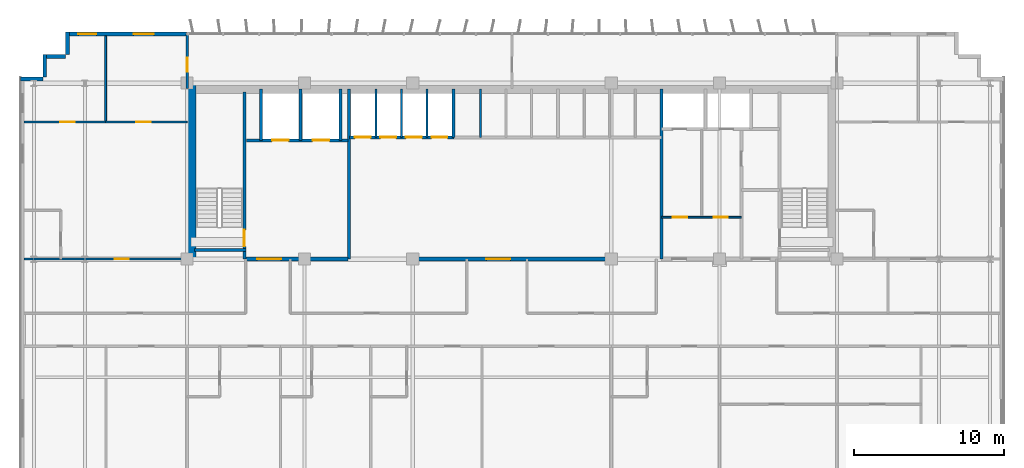
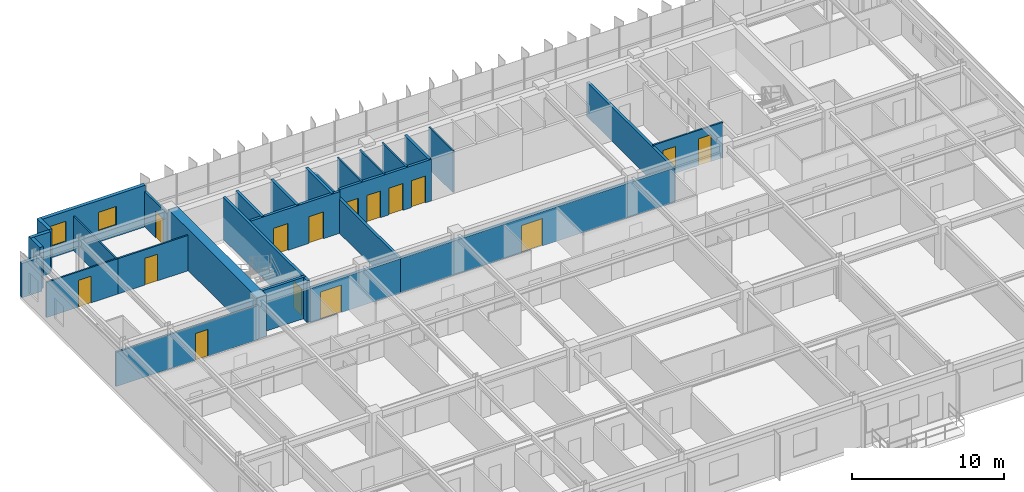
# One storey, part 17 of 22: 28 walls, 15 doors, 2 windows, 17 openings.
"""IFC4 building model written with IfcOpenShell, lengths in metres."""

from ifc_helpers import new_model, si_unit, direction, frame, frame_2d, origin, place, context, subcontext, project, spatial, rectangle, extrude, source, transform, mapped, material, layer, layer_set, type_object, element, fill, save


model = new_model("IFC4")

# Units and contexts
model_context = context("Model", 3, precision=1e-05, world=origin(), true_north=direction((0.0, 1.0)))
body_context = subcontext(model_context, "Body", "Model", "MODEL_VIEW")
ifc_project = project(units=[si_unit("LENGTHUNIT", "METRE"), si_unit("AREAUNIT", "SQUARE_METRE"), si_unit("VOLUMEUNIT", "CUBIC_METRE"), si_unit("PLANEANGLEUNIT", "RADIAN"), si_unit("MASSUNIT", "GRAM", prefix="KILO")], contexts=[model_context])

# Site, building, storey
site_placement = place(None, origin())
site = spatial("IfcSite", under=ifc_project, at=site_placement, CompositionType="ELEMENT")
building_placement = place(site_placement, origin())
building = spatial("IfcBuilding", under=site, at=building_placement, Name="Trelvane Seafront Commons", CompositionType="ELEMENT")
storey_placement = place(building_placement, frame((0.0, 0.0, 114.10009765625)))
storey = spatial("IfcBuildingStorey", under=building, at=storey_placement, Name="L29", CompositionType="ELEMENT", Elevation=114.10009765625)

# Wall, openings, windows
ifc_material_1 = material(Name="Precast concrete C40/50", Category="concrete")
ifc_layer_1 = layer(ifc_material_1, 0.260009765625, Name="ARCH-WALL-EXT260")
ifc_layer_set_1 = layer_set([ifc_layer_1], Name="Precast concrete C40/50")
wall_type_1 = type_object("IfcWallType", Name="ARCH-WALL-EXT260", PredefinedType="SOLIDWALL", material=ifc_layer_set_1)
wall_1_placement = place(storey_placement, frame((7.60009765625, 48.3701171875, 0.0), z_axis=(0.0, 0.0, 1.0), x_axis=(1.0, 0.0, 0.0)))
wall_1 = element("IfcWall", 1, at=wall_1_placement, inside=storey, type_object=wall_type_1, Name="EW-L29-NW-0538", PredefinedType="SOLIDWALL", context=body_context, shape_type="SweptSolid", body=[
    extrude(rectangle(XDim=8.0, YDim=0.260009765625, at=frame_2d((4.0, 0.0))), origin(), (0.0, 0.0, 1.0), 3.33984375),
])
opening_1_placement = place(wall_1_placement, frame((0.76806640625, 0.0, 0.89990234375)))
opening_1 = element("IfcOpeningElement", 2, at=opening_1_placement, cuts=wall_1, Name="Opening W05", PredefinedType="OPENING", context=body_context, shape_type="SweptSolid", body=[
    extrude(rectangle(XDim=1.199951171875, YDim=1.64990234375, at=frame_2d((0.60009765625, 0.824951171875))), frame((0.0, 0.139892578125, 0.0), z_axis=(0.0, -1.0, 0.0), x_axis=(1.0, 0.0, 0.0)), (0.0, 0.0, 1.0), 0.280029296875),
])
opening_2_placement = place(wall_1_placement, frame((4.44091796875, 0.0, 0.89990234375)))
opening_2 = element("IfcOpeningElement", 3, at=opening_2_placement, cuts=wall_1, Name="Opening W09", PredefinedType="OPENING", context=body_context, shape_type="SweptSolid", body=[
    extrude(rectangle(XDim=1.35009765625, YDim=1.5, at=frame_2d((0.675048828125, 0.75))), frame((0.0, 0.139892578125, 0.0), z_axis=(0.0, -1.0, 0.0), x_axis=(1.0, 0.0, 0.0)), (0.0, 0.0, 1.0), 0.280029296875),
])
ifc_material_2 = material(Name="Low-E coastal double glazing", Category="glass")
window_type_1 = type_object("IfcWindowType", Name="ARCH-WIN-W09", PartitioningType="SINGLE_PANEL", PredefinedType="WINDOW", material=ifc_material_2)
shared_shape_1 = source(origin(), body_context, "Body", "SweptSolid", [
    extrude(rectangle(XDim=1.35009765625, YDim=1.5, at=frame_2d((0.675048828125, 0.75))), frame((0.0, 0.030029296875, 0.0), z_axis=(0.0, -1.0, 0.0), x_axis=(1.0, 0.0, 0.0)), (0.0, 0.0, 1.0), 0.06005859375),
])
window_1_placement = place(opening_2_placement, origin())
window_1 = element("IfcWindow", 4, at=window_1_placement, inside=storey, type_object=window_type_1, Name="WIN-L29-00636", OverallHeight=1.5, OverallWidth=1.35009765625, PartitioningType="SINGLE_PANEL", PredefinedType="WINDOW", context=body_context, shape_type="MappedRepresentation", body=[
    mapped(shared_shape_1, transform((0.0, 0.0, 0.0), x_axis=(1.0, 0.0, 0.0), y_axis=(0.0, 1.0, 0.0), z_axis=(0.0, 0.0, 1.0), scale=1.0)),
])
fill(opening_2, window_1)
window_type_2 = type_object("IfcWindowType", Name="ARCH-WIN-W05", PartitioningType="SINGLE_PANEL", PredefinedType="WINDOW", material=ifc_material_2)
shared_shape_2 = source(origin(), body_context, "Body", "SweptSolid", [
    extrude(rectangle(XDim=1.199951171875, YDim=1.64990234375, at=frame_2d((0.60009765625, 0.824951171875))), frame((0.0, 0.030029296875, 0.0), z_axis=(0.0, -1.0, 0.0), x_axis=(1.0, 0.0, 0.0)), (0.0, 0.0, 1.0), 0.06005859375),
])
window_2_placement = place(opening_1_placement, origin())
window_2 = element("IfcWindow", 5, at=window_2_placement, inside=storey, type_object=window_type_2, Name="WIN-L29-00635", OverallHeight=1.64990234375, OverallWidth=1.199951171875, PartitioningType="SINGLE_PANEL", PredefinedType="WINDOW", context=body_context, shape_type="MappedRepresentation", body=[
    mapped(shared_shape_2, transform((0.0, 0.0, 0.0), x_axis=(1.0, 0.0, 0.0), y_axis=(0.0, 1.0, 0.0), z_axis=(0.0, 0.0, 1.0), scale=1.0)),
])
fill(opening_1, window_2)

# Walls
wall_2_placement = place(storey_placement, frame((4.5, 45.3701171875, 0.0), z_axis=(0.0, 0.0, 1.0), x_axis=(1.0, 0.0, 0.0)))
element("IfcWall", 6, at=wall_2_placement, inside=storey, type_object=wall_type_1, Name="EW-L29-00544", PredefinedType="SOLIDWALL", context=body_context, shape_type="SweptSolid", body=[
    extrude(rectangle(XDim=1.5, YDim=0.260009765625, at=frame_2d((0.75, 0.0))), origin(), (0.0, 0.0, 1.0), 2.751953125),
])
for number, where, z_axis, x_axis, name in (
    (7, (6.1298828125, 45.5, 0.0), (0.0, 0.0, 1.0), (0.0, 1.0, 0.0), "EW-L29-00545"),
    (8, (6.0, 46.8701171875, 0.0), (0.0, 0.0, 1.0), (1.0, 0.0, 0.0), "EW-L29-00546"),
    (9, (7.6298828125, 47.0, 0.0), (0.0, 0.0, 1.0), (0.0, 1.0, 0.0), "EW-L29-00547"),
):
    element("IfcWall", number, at=place(storey_placement, frame(where, z_axis=z_axis, x_axis=x_axis)), inside=storey, type_object=wall_type_1, Name=name, PredefinedType="SOLIDWALL", context=body_context, shape_type="SweptSolid", body=[
        extrude(rectangle(XDim=1.5, YDim=0.260009765625, at=frame_2d((0.75, 0.0))), origin(), (0.0, 0.0, 1.0), 3.33984375),
    ])

# Wall, opening, door
ifc_material_3 = material(Name="Concrete C40/50", Category="concrete")
ifc_layer_2 = layer(ifc_material_3, 0.25, Name="ARCH-WALL-FIRE250")
ifc_layer_set_2 = layer_set([ifc_layer_2], Name="Concrete C40/50")
wall_type_2 = type_object("IfcWallType", Name="ARCH-WALL-FIRE250", PredefinedType="PARTITIONING", material=ifc_layer_set_2)
wall_3_placement = place(storey_placement, frame((19.5, 33.39990234375, 0.0), z_axis=(0.0, 0.0, 1.0), x_axis=(1.0, 0.0, 0.0)))
wall_3 = element("IfcWall", 10, at=wall_3_placement, inside=storey, type_object=wall_type_2, Name="W-L29-CS-FFL-013", PredefinedType="PARTITIONING", context=body_context, shape_type="SweptSolid", body=[
    extrude(rectangle(XDim=6.800048828125, YDim=0.25, at=frame_2d((3.39990234375, 0.0))), origin(), (0.0, 0.0, 1.0), 2.751953125),
])
opening_3_placement = place(wall_3_placement, frame((0.75, 0.0, 0.0)))
opening_3 = element("IfcOpeningElement", 11, at=opening_3_placement, cuts=wall_3, Name="Opening FD-L29-05", PredefinedType="OPENING", context=body_context, shape_type="SweptSolid", body=[
    extrude(rectangle(XDim=1.60009765625, YDim=2.199951171875, at=frame_2d((0.800048828125, 1.10009765625))), frame((0.0, 0.135009765625, 0.0), z_axis=(0.0, -1.0, 0.0), x_axis=(1.0, 0.0, 0.0)), (0.0, 0.0, 1.0), 0.27001953125),
])
ifc_material_4 = material(Name="Powder-coated aluminium frame", Category="aluminium")
door_type_1 = type_object("IfcDoorType", Name="ARCH-DR-FD60-1600", OperationType="DOUBLE_DOOR_SINGLE_SWING", PredefinedType="DOOR", material=ifc_material_4)
shared_shape_3 = source(origin(), body_context, "Body", "SweptSolid", [
    extrude(rectangle(XDim=1.60009765625, YDim=2.199951171875, at=frame_2d((0.800048828125, 1.10009765625))), frame((0.0, 0.02490234375, 0.0), z_axis=(0.0, -1.0, 0.0), x_axis=(1.0, 0.0, 0.0)), (0.0, 0.0, 1.0), 0.050048828125),
])
door_1_placement = place(opening_3_placement, origin())
door_1 = element("IfcDoor", 12, at=door_1_placement, inside=storey, type_object=door_type_1, Name="L29 Firefighting Lift Lobby Double Fire Door", OperationType="DOUBLE_DOOR_SINGLE_SWING", OverallHeight=2.199951171875, OverallWidth=1.60009765625, PredefinedType="DOOR", context=body_context, shape_type="MappedRepresentation", body=[
    mapped(shared_shape_3, transform((0.0, 0.0, 0.0), x_axis=(1.0, 0.0, 0.0), y_axis=(0.0, 1.0, 0.0), z_axis=(0.0, 0.0, 1.0), scale=1.0)),
])
fill(opening_3, door_1)

wall_4_placement = place(storey_placement, frame((26.300048828125, 33.39990234375, 0.0), z_axis=(0.0, 0.0, 1.0), x_axis=(1.0, 0.0, 0.0)))
wall_4 = element("IfcWall", 13, at=wall_4_placement, inside=storey, type_object=wall_type_2, Name="W-L29-CS-PAX-029", PredefinedType="PARTITIONING", context=body_context, shape_type="SweptSolid", body=[
    extrude(rectangle(XDim=20.849853515625, YDim=0.25, at=frame_2d((10.4248046875, 0.0))), origin(), (0.0, 0.0, 1.0), 2.751953125),
])
opening_4_placement = place(wall_4_placement, frame((9.199951171875, 0.0, 0.0)))
opening_4 = element("IfcOpeningElement", 14, at=opening_4_placement, cuts=wall_4, Name="Opening FD-L29-10", PredefinedType="OPENING", context=body_context, shape_type="SweptSolid", body=[
    extrude(rectangle(XDim=1.60009765625, YDim=2.199951171875, at=frame_2d((0.800048828125, 1.10009765625))), frame((0.0, 0.135009765625, 0.0), z_axis=(0.0, -1.0, 0.0), x_axis=(1.0, 0.0, 0.0)), (0.0, 0.0, 1.0), 0.27001953125),
])
door_2_placement = place(opening_4_placement, origin())
door_2 = element("IfcDoor", 15, at=door_2_placement, inside=storey, type_object=door_type_1, Name="L29 Passenger Lift Lobby Double Door", OperationType="DOUBLE_DOOR_SINGLE_SWING", OverallHeight=2.199951171875, OverallWidth=1.60009765625, PredefinedType="DOOR", context=body_context, shape_type="MappedRepresentation", body=[
    mapped(shared_shape_3, transform((0.0, 0.0, 0.0), x_axis=(1.0, 0.0, 0.0), y_axis=(0.0, 1.0, 0.0), z_axis=(0.0, 0.0, 1.0), scale=1.0)),
])
fill(opening_4, door_2)

# Walls
ifc_material_5 = material(Name="Gypsum Drywall Acoustic Partition")
ifc_layer_3 = layer(ifc_material_5, 0.1201171875, Name="ARCH-WALL-PART120")
ifc_layer_set_3 = layer_set([ifc_layer_3], Name="Gypsum Drywall Acoustic Partition")
wall_type_3 = type_object("IfcWallType", Name="ARCH-WALL-PART120", PredefinedType="PARTITIONING", material=ifc_layer_set_3)
for number, where, z_axis, x_axis, name in (
    (16, (28.14990234375, 41.5, 0.0), (0.0, 0.0, 1.0), (0.0, 1.0, 0.0), "W-L29-PL-DIV1-016"),
    (17, (29.85009765625, 41.5, 0.0), (0.0, 0.0, 1.0), (0.0, 1.0, 0.0), "W-L29-PL-DIV2-017"),
    (18, (31.550048828125, 41.5, 0.0), (0.0, 0.0, 1.0), (0.0, 1.0, 0.0), "W-L29-PL-DIV3-018"),
    (19, (35.10009765625, 41.5, 0.0), (0.0, 0.0, 1.0), (0.0, 1.0, 0.0), "W-L29-PM-DIV1-020"),
):
    element("IfcWall", number, at=place(storey_placement, frame(where, z_axis=z_axis, x_axis=x_axis)), inside=storey, type_object=wall_type_3, Name=name, PredefinedType="PARTITIONING", context=body_context, shape_type="SweptSolid", body=[
        extrude(rectangle(XDim=3.199951171875, YDim=0.1201171875, at=frame_2d((1.60009765625, 0.0))), origin(), (0.0, 0.0, 1.0), 3.33984375),
    ])

# Wall, openings, doors
wall_5_placement = place(storey_placement, frame((47.14990234375, 36.179931640625, 0.0), z_axis=(0.0, 0.0, 1.0), x_axis=(1.0, 0.0, 0.0)))
wall_5 = element("IfcWall", 20, at=wall_5_placement, inside=storey, type_object=wall_type_3, Name="W-L29-CYC1-H-035", PredefinedType="PARTITIONING", context=body_context, shape_type="SweptSolid", body=[
    extrude(rectangle(XDim=5.300048828125, YDim=0.1201171875, at=frame_2d((2.64990234375, 0.0))), origin(), (0.0, 0.0, 1.0), 2.83984375),
])
opening_5_placement = place(wall_5_placement, frame((0.75, 0.0, 0.0)))
opening_5 = element("IfcOpeningElement", 21, at=opening_5_placement, cuts=wall_5, Name="Opening D-L29-14", PredefinedType="OPENING", context=body_context, shape_type="SweptSolid", body=[
    extrude(rectangle(XDim=0.949951171875, YDim=2.14990234375, at=frame_2d((0.47509765625, 1.074951171875))), frame((0.0, 0.070068359375, 0.0), z_axis=(0.0, -1.0, 0.0), x_axis=(1.0, 0.0, 0.0)), (0.0, 0.0, 1.0), 0.14013671875),
])
opening_6_placement = place(wall_5_placement, frame((3.449951171875, 0.0, 0.0)))
opening_6 = element("IfcOpeningElement", 22, at=opening_6_placement, cuts=wall_5, Name="Opening D-L29-15", PredefinedType="OPENING", context=body_context, shape_type="SweptSolid", body=[
    extrude(rectangle(XDim=0.949951171875, YDim=2.14990234375, at=frame_2d((0.47509765625, 1.074951171875))), frame((0.0, 0.070068359375, 0.0), z_axis=(0.0, -1.0, 0.0), x_axis=(1.0, 0.0, 0.0)), (0.0, 0.0, 1.0), 0.14013671875),
])
ifc_material_6 = material(Name="Acoustic timber door leaf", Category="wood")
door_type_2 = type_object("IfcDoorType", Name="ARCH-DR-INT950", OperationType="NOTDEFINED", PredefinedType="DOOR", material=ifc_material_6)
shared_shape_4 = source(origin(), body_context, "Body", "SweptSolid", [
    extrude(rectangle(XDim=0.949951171875, YDim=2.14990234375, at=frame_2d((0.47509765625, 1.074951171875))), frame((0.0, 0.02490234375, 0.0), z_axis=(0.0, -1.0, 0.0), x_axis=(1.0, 0.0, 0.0)), (0.0, 0.0, 1.0), 0.050048828125),
])
door_3_placement = place(opening_5_placement, origin())
door_3 = element("IfcDoor", 23, at=door_3_placement, inside=storey, type_object=door_type_2, Name="L29 Accessible WC Door", OperationType="SINGLE_SWING_RIGHT", OverallHeight=2.14990234375, OverallWidth=0.949951171875, PredefinedType="DOOR", context=body_context, shape_type="MappedRepresentation", body=[
    mapped(shared_shape_4, transform((0.0, 0.0, 0.0), x_axis=(1.0, 0.0, 0.0), y_axis=(0.0, 1.0, 0.0), z_axis=(0.0, 0.0, 1.0), scale=1.0)),
])
fill(opening_5, door_3)
door_4_placement = place(opening_6_placement, origin())
door_4 = element("IfcDoor", 24, at=door_4_placement, inside=storey, type_object=door_type_2, Name="L29 BMS Room Door", OperationType="SINGLE_SWING_LEFT", OverallHeight=2.14990234375, OverallWidth=0.949951171875, PredefinedType="DOOR", context=body_context, shape_type="MappedRepresentation", body=[
    mapped(shared_shape_4, transform((0.0, 0.0, 0.0), x_axis=(1.0, 0.0, 0.0), y_axis=(0.0, 1.0, 0.0), z_axis=(0.0, 0.0, 1.0), scale=1.0)),
])
fill(opening_6, door_4)

# Wall, opening, door
wall_6_placement = place(storey_placement, frame((4.75, 42.52001953125, 0.0), z_axis=(0.0, 0.0, 1.0), x_axis=(1.0, 0.0, 0.0)))
wall_6 = element("IfcWall", 25, at=wall_6_placement, inside=storey, type_object=wall_type_3, Name="W-L29-NW-KB1-051", PredefinedType="PARTITIONING", context=body_context, shape_type="SweptSolid", body=[
    extrude(rectangle(XDim=5.425048828125, YDim=0.1201171875, at=frame_2d((2.71240234375, 0.0))), origin(), (0.0, 0.0, 1.0), 2.83984375),
])
opening_7_placement = place(wall_6_placement, frame((2.423095703125, 0.0, 0.0)))
opening_7 = element("IfcOpeningElement", 26, at=opening_7_placement, cuts=wall_6, Name="Opening D-L29-24", PredefinedType="OPENING", context=body_context, shape_type="SweptSolid", body=[
    extrude(rectangle(XDim=0.949951171875, YDim=2.14990234375, at=frame_2d((0.47509765625, 1.074951171875))), frame((0.0, 0.070068359375, 0.0), z_axis=(0.0, -1.0, 0.0), x_axis=(1.0, 0.0, 0.0)), (0.0, 0.0, 1.0), 0.14013671875),
])
door_5_placement = place(opening_7_placement, origin())
door_5 = element("IfcDoor", 27, at=door_5_placement, inside=storey, type_object=door_type_2, Name="L29 Door 24", OperationType="SINGLE_SWING_RIGHT", OverallHeight=2.14990234375, OverallWidth=0.949951171875, PredefinedType="DOOR", context=body_context, shape_type="MappedRepresentation", body=[
    mapped(shared_shape_4, transform((0.0, 0.0, 0.0), x_axis=(1.0, 0.0, 0.0), y_axis=(0.0, 1.0, 0.0), z_axis=(0.0, 0.0, 1.0), scale=1.0)),
])
fill(opening_7, door_5)

wall_7_placement = place(storey_placement, frame((10.175048828125, 42.52001953125, 0.0), z_axis=(0.0, 0.0, 1.0), x_axis=(1.0, 0.0, 0.0)))
wall_7 = element("IfcWall", 28, at=wall_7_placement, inside=storey, type_object=wall_type_3, Name="W-L29-NW-KB2-052", PredefinedType="PARTITIONING", context=body_context, shape_type="SweptSolid", body=[
    extrude(rectangle(XDim=5.425048828125, YDim=0.1201171875, at=frame_2d((2.71240234375, 0.0))), origin(), (0.0, 0.0, 1.0), 2.83984375),
])
opening_8_placement = place(wall_7_placement, frame((2.052001953125, 0.0, 0.0)))
opening_8 = element("IfcOpeningElement", 29, at=opening_8_placement, cuts=wall_7, Name="Opening D-L29-25", PredefinedType="OPENING", context=body_context, shape_type="SweptSolid", body=[
    extrude(rectangle(XDim=0.949951171875, YDim=2.14990234375, at=frame_2d((0.47509765625, 1.074951171875))), frame((0.0, 0.070068359375, 0.0), z_axis=(0.0, -1.0, 0.0), x_axis=(1.0, 0.0, 0.0)), (0.0, 0.0, 1.0), 0.14013671875),
])
door_6_placement = place(opening_8_placement, origin())
door_6 = element("IfcDoor", 30, at=door_6_placement, inside=storey, type_object=door_type_2, Name="L29 Door 25", OperationType="SINGLE_SWING_LEFT", OverallHeight=2.14990234375, OverallWidth=0.949951171875, PredefinedType="DOOR", context=body_context, shape_type="MappedRepresentation", body=[
    mapped(shared_shape_4, transform((0.0, 0.0, 0.0), x_axis=(1.0, 0.0, 0.0), y_axis=(0.0, 1.0, 0.0), z_axis=(0.0, 0.0, 1.0), scale=1.0)),
])
fill(opening_8, door_6)

# Wall
wall_8_placement = place(storey_placement, frame((10.175048828125, 42.52001953125, 0.0), z_axis=(0.0, 0.0, 1.0), x_axis=(0.0, 1.0, 0.0)))
element("IfcWall", 31, at=wall_8_placement, inside=storey, type_object=wall_type_3, Name="W-L29-NW-KBDV-053", PredefinedType="PARTITIONING", context=body_context, shape_type="SweptSolid", body=[
    extrude(rectangle(XDim=5.719970703125, YDim=0.1201171875, at=frame_2d((2.85986328125, 0.0))), origin(), (0.0, 0.0, 1.0), 2.751953125),
])

# Wall, opening, door
ifc_layer_4 = layer(ifc_material_5, 0.14990234375, Name="ARCH-WALL-PART150")
ifc_layer_set_4 = layer_set([ifc_layer_4], Name="Gypsum Drywall Acoustic Partition")
wall_type_4 = type_object("IfcWallType", Name="ARCH-WALL-PART150", PredefinedType="PARTITIONING", material=ifc_layer_set_4)
wall_9_placement = place(storey_placement, frame((4.75, 33.39990234375, 0.0), z_axis=(0.0, 0.0, 1.0), x_axis=(1.0, 0.0, 0.0)))
wall_9 = element("IfcWall", 32, at=wall_9_placement, inside=storey, type_object=wall_type_4, Name="W-L29-NW-ENT-054", PredefinedType="PARTITIONING", context=body_context, shape_type="SweptSolid", body=[
    extrude(rectangle(XDim=10.85009765625, YDim=0.14990234375, at=frame_2d((5.425048828125, 0.0))), origin(), (0.0, 0.0, 1.0), 2.751953125),
])
opening_9_placement = place(wall_9_placement, frame((6.02490234375, 0.0, 0.0)))
opening_9 = element("IfcOpeningElement", 33, at=opening_9_placement, cuts=wall_9, Name="Opening FD-L29-26", PredefinedType="OPENING", context=body_context, shape_type="SweptSolid", body=[
    extrude(rectangle(XDim=0.949951171875, YDim=2.14990234375, at=frame_2d((0.47509765625, 1.074951171875))), frame((0.0, 0.0849609375, 0.0), z_axis=(0.0, -1.0, 0.0), x_axis=(1.0, 0.0, 0.0)), (0.0, 0.0, 1.0), 0.169921875),
])
door_type_3 = type_object("IfcDoorType", Name="ARCH-DR-FD60-950", OperationType="NOTDEFINED", PredefinedType="DOOR", material=ifc_material_4)
door_7_placement = place(opening_9_placement, origin())
door_7 = element("IfcDoor", 34, at=door_7_placement, inside=storey, type_object=door_type_3, Name="L29 NW Flat Entrance Door", OperationType="SINGLE_SWING_RIGHT", OverallHeight=2.14990234375, OverallWidth=0.949951171875, PredefinedType="DOOR", context=body_context, shape_type="MappedRepresentation", body=[
    mapped(shared_shape_4, transform((0.0, 0.0, 0.0), x_axis=(1.0, 0.0, 0.0), y_axis=(0.0, 1.0, 0.0), z_axis=(0.0, 0.0, 1.0), scale=1.0)),
])
fill(opening_9, door_7)

wall_10_placement = place(storey_placement, frame((15.60009765625, 44.75, 0.0), z_axis=(0.0, 0.0, 1.0), x_axis=(0.0, 1.0, 0.0)))
wall_10 = element("IfcWall", 35, at=wall_10_placement, inside=storey, type_object=wall_type_4, Name="W-L29-N-LINK-W-062", PredefinedType="PARTITIONING", context=body_context, shape_type="SweptSolid", body=[
    extrude(rectangle(XDim=3.610107421875, YDim=0.14990234375, at=frame_2d((1.80517578125, 0.0))), origin(), (0.0, 0.0, 1.0), 2.83984375),
])
opening_10_placement = place(wall_10_placement, frame((1.10009765625, 0.0, 0.0)))
opening_10 = element("IfcOpeningElement", 36, at=opening_10_placement, cuts=wall_10, Name="Opening FD-L29-32", PredefinedType="OPENING", context=body_context, shape_type="SweptSolid", body=[
    extrude(rectangle(XDim=0.949951171875, YDim=2.14990234375, at=frame_2d((0.47509765625, 1.074951171875))), frame((0.0, 0.0849609375, 0.0), z_axis=(0.0, -1.0, 0.0), x_axis=(1.0, 0.0, 0.0)), (0.0, 0.0, 1.0), 0.169921875),
])
door_8_placement = place(opening_10_placement, origin())
door_8 = element("IfcDoor", 37, at=door_8_placement, inside=storey, type_object=door_type_3, Name="L29 Door 32", OperationType="SINGLE_SWING_RIGHT", OverallHeight=2.14990234375, OverallWidth=0.949951171875, PredefinedType="DOOR", context=body_context, shape_type="MappedRepresentation", body=[
    mapped(shared_shape_4, transform((0.0, 0.0, 0.0), x_axis=(1.0, 0.0, 0.0), y_axis=(0.0, 1.0, 0.0), z_axis=(0.0, 0.0, 1.0), scale=1.0)),
])
fill(opening_10, door_8)

# Wall, openings, doors
ifc_layer_5 = layer(ifc_material_3, 0.199951171875, Name="ARCH-WALL-SHAFT200")
ifc_layer_set_5 = layer_set([ifc_layer_5], Name="Concrete C40/50")
wall_type_5 = type_object("IfcWallType", Name="ARCH-WALL-SHAFT200", PredefinedType="SOLIDWALL", material=ifc_layer_set_5)
wall_11_placement = place(storey_placement, frame((19.550048828125, 41.300048828125, 0.0), z_axis=(0.0, 0.0, 1.0), x_axis=(1.0, 0.0, 0.0)))
wall_11 = element("IfcWall", 38, at=wall_11_placement, inside=storey, type_object=wall_type_5, Name="W-L29-FFL-FRONT-008", PredefinedType="SOLIDWALL", context=body_context, shape_type="SweptSolid", body=[
    extrude(rectangle(XDim=6.75, YDim=0.199951171875, at=frame_2d((3.375, 0.0))), origin(), (0.0, 0.0, 1.0), 3.33984375),
])
opening_11_placement = place(wall_11_placement, frame((1.699951171875, 0.0, 0.0)))
opening_11 = element("IfcOpeningElement", 39, at=opening_11_placement, cuts=wall_11, Name="Opening LD-FF1-L29", PredefinedType="OPENING", context=body_context, shape_type="SweptSolid", body=[
    extrude(rectangle(XDim=1.10009765625, YDim=2.14990234375, at=frame_2d((0.550048828125, 1.074951171875))), frame((0.0, 0.10986328125, 0.0), z_axis=(0.0, -1.0, 0.0), x_axis=(1.0, 0.0, 0.0)), (0.0, 0.0, 1.0), 0.219970703125),
])
opening_12_placement = place(wall_11_placement, frame((4.39990234375, 0.0, 0.0)))
opening_12 = element("IfcOpeningElement", 40, at=opening_12_placement, cuts=wall_11, Name="Opening LD-FF2-L29", PredefinedType="OPENING", context=body_context, shape_type="SweptSolid", body=[
    extrude(rectangle(XDim=1.10009765625, YDim=2.14990234375, at=frame_2d((0.550048828125, 1.074951171875))), frame((0.0, 0.10986328125, 0.0), z_axis=(0.0, -1.0, 0.0), x_axis=(1.0, 0.0, 0.0)), (0.0, 0.0, 1.0), 0.219970703125),
])
ifc_material_7 = material(Name="Stainless steel balustrade", Category="steel")
door_type_4 = type_object("IfcDoorType", Name="ARCH-DR-LD1100", OperationType="DOUBLE_DOOR_SLIDING", PredefinedType="DOOR", material=ifc_material_7)
shared_shape_5 = source(origin(), body_context, "Body", "SweptSolid", [
    extrude(rectangle(XDim=1.10009765625, YDim=2.14990234375, at=frame_2d((0.550048828125, 1.074951171875))), frame((0.0, 0.02490234375, 0.0), z_axis=(0.0, -1.0, 0.0), x_axis=(1.0, 0.0, 0.0)), (0.0, 0.0, 1.0), 0.050048828125),
])
door_9_placement = place(opening_11_placement, origin())
door_9 = element("IfcDoor", 41, at=door_9_placement, inside=storey, type_object=door_type_4, Name="L29 Firefighting Lift FFL-1 Landing Door", OperationType="DOUBLE_DOOR_SLIDING", OverallHeight=2.14990234375, OverallWidth=1.10009765625, PredefinedType="DOOR", context=body_context, shape_type="MappedRepresentation", body=[
    mapped(shared_shape_5, transform((0.0, 0.0, 0.0), x_axis=(1.0, 0.0, 0.0), y_axis=(0.0, 1.0, 0.0), z_axis=(0.0, 0.0, 1.0), scale=1.0)),
])
fill(opening_11, door_9)
door_10_placement = place(opening_12_placement, origin())
door_10 = element("IfcDoor", 42, at=door_10_placement, inside=storey, type_object=door_type_4, Name="L29 Firefighting Lift FFL-2 Landing Door", OperationType="DOUBLE_DOOR_SLIDING", OverallHeight=2.14990234375, OverallWidth=1.10009765625, PredefinedType="DOOR", context=body_context, shape_type="MappedRepresentation", body=[
    mapped(shared_shape_5, transform((0.0, 0.0, 0.0), x_axis=(1.0, 0.0, 0.0), y_axis=(0.0, 1.0, 0.0), z_axis=(0.0, 0.0, 1.0), scale=1.0)),
])
fill(opening_12, door_10)

# Walls
for number, where, z_axis, x_axis, name in (
    (43, (20.5, 41.300048828125, 0.0), (0.0, 0.0, 1.0), (0.0, 1.0, 0.0), "W-L29-FFL-SH-W-009"),
    (44, (23.14990234375, 41.300048828125, 0.0), (0.0, 0.0, 1.0), (0.0, 1.0, 0.0), "W-L29-FFL-DIV-010"),
    (45, (25.800048828125, 41.300048828125, 0.0), (0.0, 0.0, 1.0), (0.0, 1.0, 0.0), "W-L29-FFL-SH-E-011"),
):
    element("IfcWall", number, at=place(storey_placement, frame(where, z_axis=z_axis, x_axis=x_axis)), inside=storey, type_object=wall_type_5, Name=name, PredefinedType="SOLIDWALL", context=body_context, shape_type="SweptSolid", body=[
        extrude(rectangle(XDim=3.39990234375, YDim=0.199951171875, at=frame_2d((1.699951171875, 0.0))), origin(), (0.0, 0.0, 1.0), 3.33984375),
    ])
wall_12_placement = place(storey_placement, frame((26.35009765625, 33.39990234375, 0.0), z_axis=(0.0, 0.0, 1.0), x_axis=(0.0, 1.0, 0.0)))
element("IfcWall", 46, at=wall_12_placement, inside=storey, type_object=wall_type_5, Name="W-L29-FFL-EAST-012", PredefinedType="SOLIDWALL", context=body_context, shape_type="SweptSolid", body=[
    extrude(rectangle(XDim=11.300048828125, YDim=0.199951171875, at=frame_2d((5.64990234375, 0.0))), origin(), (0.0, 0.0, 1.0), 2.751953125),
])

# Wall, openings, doors
wall_13_placement = place(storey_placement, frame((26.39990234375, 41.5, 0.0), z_axis=(0.0, 0.0, 1.0), x_axis=(1.0, 0.0, 0.0)))
wall_13 = element("IfcWall", 47, at=wall_13_placement, inside=storey, type_object=wall_type_5, Name="W-L29-PL-FRONT-014", PredefinedType="SOLIDWALL", context=body_context, shape_type="SweptSolid", body=[
    extrude(rectangle(XDim=6.9501953125, YDim=0.199951171875, at=frame_2d((3.47509765625, 0.0))), origin(), (0.0, 0.0, 1.0), 3.33984375),
])
opening_13_placement = place(wall_13_placement, frame((0.35009765625, 0.0, 0.0)))
opening_13 = element("IfcOpeningElement", 48, at=opening_13_placement, cuts=wall_13, Name="Opening LD-PL1-L29", PredefinedType="OPENING", context=body_context, shape_type="SweptSolid", body=[
    extrude(rectangle(XDim=1.050048828125, YDim=2.14990234375, at=frame_2d((0.52490234375, 1.074951171875))), frame((0.0, 0.10986328125, 0.0), z_axis=(0.0, -1.0, 0.0), x_axis=(1.0, 0.0, 0.0)), (0.0, 0.0, 1.0), 0.219970703125),
])
opening_14_placement = place(wall_13_placement, frame((2.050048828125, 0.0, 0.0)))
opening_14 = element("IfcOpeningElement", 49, at=opening_14_placement, cuts=wall_13, Name="Opening LD-PL2-L29", PredefinedType="OPENING", context=body_context, shape_type="SweptSolid", body=[
    extrude(rectangle(XDim=1.050048828125, YDim=2.14990234375, at=frame_2d((0.52490234375, 1.074951171875))), frame((0.0, 0.10986328125, 0.0), z_axis=(0.0, -1.0, 0.0), x_axis=(1.0, 0.0, 0.0)), (0.0, 0.0, 1.0), 0.219970703125),
])
opening_15_placement = place(wall_13_placement, frame((3.75, 0.0, 0.0)))
opening_15 = element("IfcOpeningElement", 50, at=opening_15_placement, cuts=wall_13, Name="Opening LD-PL3-L29", PredefinedType="OPENING", context=body_context, shape_type="SweptSolid", body=[
    extrude(rectangle(XDim=1.050048828125, YDim=2.14990234375, at=frame_2d((0.52490234375, 1.074951171875))), frame((0.0, 0.10986328125, 0.0), z_axis=(0.0, -1.0, 0.0), x_axis=(1.0, 0.0, 0.0)), (0.0, 0.0, 1.0), 0.219970703125),
])
opening_16_placement = place(wall_13_placement, frame((5.449951171875, 0.0, 0.0)))
opening_16 = element("IfcOpeningElement", 51, at=opening_16_placement, cuts=wall_13, Name="Opening LD-PL4-L29", PredefinedType="OPENING", context=body_context, shape_type="SweptSolid", body=[
    extrude(rectangle(XDim=1.050048828125, YDim=2.14990234375, at=frame_2d((0.52490234375, 1.074951171875))), frame((0.0, 0.10986328125, 0.0), z_axis=(0.0, -1.0, 0.0), x_axis=(1.0, 0.0, 0.0)), (0.0, 0.0, 1.0), 0.219970703125),
])
door_type_5 = type_object("IfcDoorType", Name="ARCH-DR-LD1050", OperationType="DOUBLE_DOOR_SLIDING", PredefinedType="DOOR", material=ifc_material_7)
shared_shape_6 = source(origin(), body_context, "Body", "SweptSolid", [
    extrude(rectangle(XDim=1.050048828125, YDim=2.14990234375, at=frame_2d((0.52490234375, 1.074951171875))), frame((0.0, 0.02490234375, 0.0), z_axis=(0.0, -1.0, 0.0), x_axis=(1.0, 0.0, 0.0)), (0.0, 0.0, 1.0), 0.050048828125),
])
door_11_placement = place(opening_13_placement, origin())
door_11 = element("IfcDoor", 52, at=door_11_placement, inside=storey, type_object=door_type_5, Name="L29 Passenger Lift PL-1 Landing Door", OperationType="DOUBLE_DOOR_SLIDING", OverallHeight=2.14990234375, OverallWidth=1.050048828125, PredefinedType="DOOR", context=body_context, shape_type="MappedRepresentation", body=[
    mapped(shared_shape_6, transform((0.0, 0.0, 0.0), x_axis=(1.0, 0.0, 0.0), y_axis=(0.0, 1.0, 0.0), z_axis=(0.0, 0.0, 1.0), scale=1.0)),
])
fill(opening_13, door_11)
door_12_placement = place(opening_14_placement, origin())
door_12 = element("IfcDoor", 53, at=door_12_placement, inside=storey, type_object=door_type_5, Name="L29 Passenger Lift PL-2 Landing Door", OperationType="DOUBLE_DOOR_SLIDING", OverallHeight=2.14990234375, OverallWidth=1.050048828125, PredefinedType="DOOR", context=body_context, shape_type="MappedRepresentation", body=[
    mapped(shared_shape_6, transform((0.0, 0.0, 0.0), x_axis=(1.0, 0.0, 0.0), y_axis=(0.0, 1.0, 0.0), z_axis=(0.0, 0.0, 1.0), scale=1.0)),
])
fill(opening_14, door_12)
door_13_placement = place(opening_15_placement, origin())
door_13 = element("IfcDoor", 54, at=door_13_placement, inside=storey, type_object=door_type_5, Name="L29 Passenger Lift PL-3 Landing Door", OperationType="DOUBLE_DOOR_SLIDING", OverallHeight=2.14990234375, OverallWidth=1.050048828125, PredefinedType="DOOR", context=body_context, shape_type="MappedRepresentation", body=[
    mapped(shared_shape_6, transform((0.0, 0.0, 0.0), x_axis=(1.0, 0.0, 0.0), y_axis=(0.0, 1.0, 0.0), z_axis=(0.0, 0.0, 1.0), scale=1.0)),
])
fill(opening_15, door_13)
door_14_placement = place(opening_16_placement, origin())
door_14 = element("IfcDoor", 55, at=door_14_placement, inside=storey, type_object=door_type_5, Name="L29 Passenger Lift PL-4 Landing Door", OperationType="DOUBLE_DOOR_SLIDING", OverallHeight=2.14990234375, OverallWidth=1.050048828125, PredefinedType="DOOR", context=body_context, shape_type="MappedRepresentation", body=[
    mapped(shared_shape_6, transform((0.0, 0.0, 0.0), x_axis=(1.0, 0.0, 0.0), y_axis=(0.0, 1.0, 0.0), z_axis=(0.0, 0.0, 1.0), scale=1.0)),
])
fill(opening_16, door_14)

# Walls
wall_14_placement = place(storey_placement, frame((33.300048828125, 41.5, 0.0), z_axis=(0.0, 0.0, 1.0), x_axis=(0.0, 1.0, 0.0)))
element("IfcWall", 56, at=wall_14_placement, inside=storey, type_object=wall_type_5, Name="W-L29-PL-EAST-SH-015", PredefinedType="SOLIDWALL", context=body_context, shape_type="SweptSolid", body=[
    extrude(rectangle(XDim=3.199951171875, YDim=0.199951171875, at=frame_2d((1.60009765625, 0.0))), origin(), (0.0, 0.0, 1.0), 3.33984375),
])
wall_15_placement = place(storey_placement, frame((47.14990234375, 33.39990234375, 0.0), z_axis=(0.0, 0.0, 1.0), x_axis=(0.0, 1.0, 0.0)))
element("IfcWall", 57, at=wall_15_placement, inside=storey, type_object=wall_type_5, Name="W-L29-PH-EAST-028", PredefinedType="SOLIDWALL", context=body_context, shape_type="SweptSolid", body=[
    extrude(rectangle(XDim=11.300048828125, YDim=0.199951171875, at=frame_2d((5.64990234375, 0.0))), origin(), (0.0, 0.0, 1.0), 2.751953125),
])
ifc_material_8 = material(Name="Concrete C60/75", Category="concrete")
ifc_layer_6 = layer(ifc_material_8, 0.699951171875, Name="STR-WALL-CORE700")
ifc_layer_set_6 = layer_set([ifc_layer_6], Name="Concrete C60/75")
wall_type_6 = type_object("IfcWallType", Name="STR-WALL-CORE700", PredefinedType="SHEAR", material=ifc_layer_set_6)
wall_16_placement = place(storey_placement, frame((15.85009765625, 33.39990234375, 0.0), z_axis=(0.0, 0.0, 1.0), x_axis=(0.0, 1.0, 0.0)))
element("IfcWall", 58, at=wall_16_placement, inside=storey, type_object=wall_type_6, Name="W-L29-CW-END-002", PredefinedType="SHEAR", context=body_context, shape_type="SweptSolid", body=[
    extrude(rectangle(XDim=11.7001953125, YDim=0.699951171875, at=frame_2d((5.85009765625, 0.0))), origin(), (0.0, 0.0, 1.0), 3.33984375),
])
ifc_material_9 = material(Name="Concrete C50/60", Category="concrete")
ifc_layer_7 = layer(ifc_material_9, 0.199951171875, Name="STR-WALL-STAIR200")
ifc_layer_set_7 = layer_set([ifc_layer_7], Name="Concrete C50/60")
wall_type_7 = type_object("IfcWallType", Name="STR-WALL-STAIR200", PredefinedType="SHEAR", material=ifc_layer_set_7)
wall_17_placement = place(storey_placement, frame((16.10009765625, 34.0, 0.0), z_axis=(0.0, 0.0, 1.0), x_axis=(1.0, 0.0, 0.0)))
element("IfcWall", 59, at=wall_17_placement, inside=storey, type_object=wall_type_7, Name="W-L29-ST1-S-004", PredefinedType="SHEAR", context=body_context, shape_type="SweptSolid", body=[
    extrude(rectangle(XDim=3.39990234375, YDim=0.199951171875, at=frame_2d((1.699951171875, 0.0))), origin(), (0.0, 0.0, 1.0), 3.33984375),
])

# Wall, opening, door
wall_18_placement = place(storey_placement, frame((19.39990234375, 33.39990234375, 0.0), z_axis=(0.0, 0.0, 1.0), x_axis=(0.0, 1.0, 0.0)))
wall_18 = element("IfcWall", 60, at=wall_18_placement, inside=storey, type_object=wall_type_7, Name="W-L29-ST1-E-005", PredefinedType="SHEAR", context=body_context, shape_type="SweptSolid", body=[
    extrude(rectangle(XDim=11.10009765625, YDim=0.199951171875, at=frame_2d((5.550048828125, 0.0))), origin(), (0.0, 0.0, 1.0), 3.33984375),
])
opening_17_placement = place(wall_18_placement, frame((0.85009765625, 0.0, 0.0)))
opening_17 = element("IfcOpeningElement", 61, at=opening_17_placement, cuts=wall_18, Name="Opening ST-D1-L29", PredefinedType="OPENING", context=body_context, shape_type="SweptSolid", body=[
    extrude(rectangle(XDim=1.10009765625, YDim=2.14990234375, at=frame_2d((0.550048828125, 1.074951171875))), frame((0.0, 0.10986328125, 0.0), z_axis=(0.0, -1.0, 0.0), x_axis=(1.0, 0.0, 0.0)), (0.0, 0.0, 1.0), 0.219970703125),
])
door_type_6 = type_object("IfcDoorType", Name="ARCH-DR-FD90-1100", OperationType="NOTDEFINED", PredefinedType="DOOR", material=ifc_material_4)
door_15_placement = place(opening_17_placement, origin())
door_15 = element("IfcDoor", 62, at=door_15_placement, inside=storey, type_object=door_type_6, Name="L29 Stair ST-1 Lobby Fire Door", OperationType="SINGLE_SWING_LEFT", OverallHeight=2.14990234375, OverallWidth=1.10009765625, PredefinedType="DOOR", context=body_context, shape_type="MappedRepresentation", body=[
    mapped(shared_shape_5, transform((0.0, 0.0, 0.0), x_axis=(1.0, 0.0, 0.0), y_axis=(0.0, 1.0, 0.0), z_axis=(0.0, 0.0, 1.0), scale=1.0)),
])
fill(opening_17, door_15)

save(model, "model.ifc")
